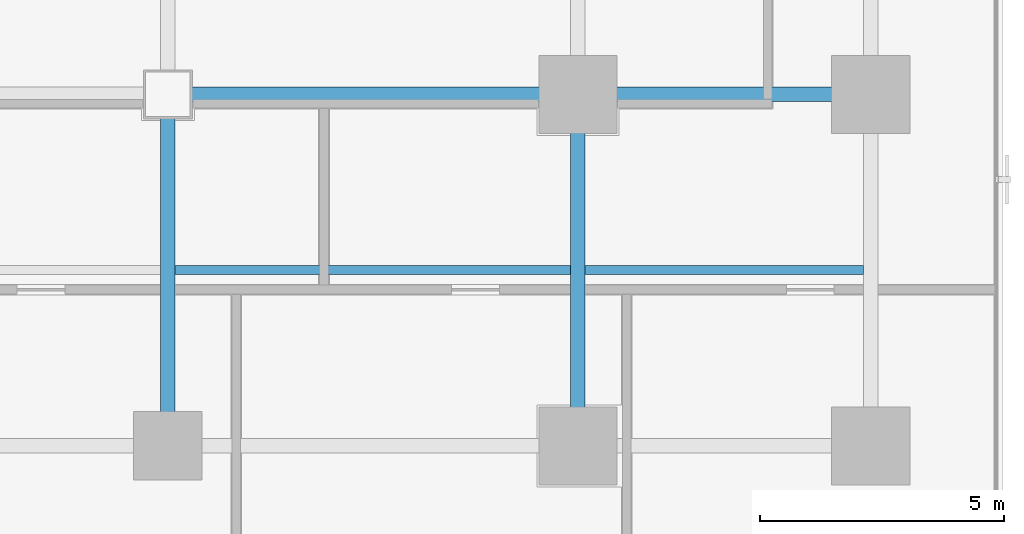
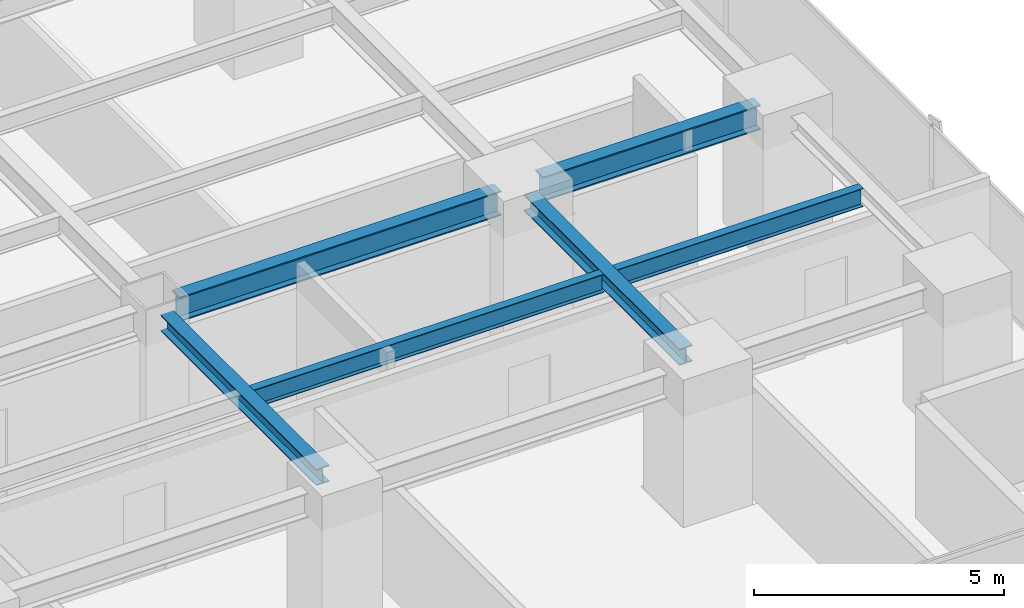
# One storey, part 13 of 36: 6 beams.
"""IFC4 building model written with IfcOpenShell, lengths in metres."""

from ifc_helpers import new_model, si_unit, direction, frame, origin, origin_2d, place, context, subcontext, project, spatial, i_section, extrude, source, transform, mapped, material, material_profile, profile_set, type_object, element, save


model = new_model("IFC4")

# Units and contexts
model_context = context("Model", 3, precision=1e-05, world=origin(), true_north=direction((0.0, 1.0)))
body_context = subcontext(model_context, "Body", "Model", "MODEL_VIEW")
ifc_project = project(units=[si_unit("LENGTHUNIT", "METRE"), si_unit("AREAUNIT", "SQUARE_METRE"), si_unit("VOLUMEUNIT", "CUBIC_METRE"), si_unit("PLANEANGLEUNIT", "RADIAN"), si_unit("MASSUNIT", "GRAM", prefix="KILO")], contexts=[model_context])

# Site, building, storey
site_placement = place(None, origin())
site = spatial("IfcSite", under=ifc_project, at=site_placement, CompositionType="ELEMENT")
building_placement = place(site_placement, origin())
building = spatial("IfcBuilding", under=site, at=building_placement, Name="Sumidabori Civic Tower", CompositionType="ELEMENT")
storey_placement = place(building_placement, frame((0.0, 0.0, 113.60009765625)))
storey = spatial("IfcBuildingStorey", under=building, at=storey_placement, Name="L29", CompositionType="ELEMENT", Elevation=113.60009765625)

# Beams
ifc_material = material(Name="Steel SN490", Category="steel")
ifc_material_profile_1 = material_profile(ifc_material, i_section(OverallWidth=0.300048828125, OverallDepth=0.60009765625, WebThickness=0.015380859375, FlangeThickness=0.030029296875, at=origin_2d()), Name="HE 600 B")
ifc_profile_set_1 = profile_set([ifc_material_profile_1], Name="Steel SN490")
beam_type_1 = type_object("IfcBeamType", Name="BM-GIRD-600", PredefinedType="BEAM", material=ifc_profile_set_1)
shared_shape_1 = source(origin(), body_context, "Body", "SweptSolid", [
    extrude(i_section(OverallWidth=0.300048828125, OverallDepth=0.60009765625, WebThickness=0.015380859375, FlangeThickness=0.030029296875, at=origin_2d()), origin(), (0.0, 0.0, 1.0), 5.0400390625),
])
beam_1_placement = place(storey_placement, frame((17.280029296875, -10.800048828125, 3.059814453125), z_axis=(1.0, 0.0, 0.0), x_axis=(0.0, 1.0, 0.0)))
element("IfcBeam", 1, at=beam_1_placement, inside=storey, type_object=beam_type_1, Name="Primary Girder L29 GX-12", PredefinedType="BEAM", context=body_context, shape_type="MappedRepresentation", body=[
    mapped(shared_shape_1, transform((0.0, 0.0, 0.0), x_axis=(1.0, 0.0, 0.0), y_axis=(0.0, 1.0, 0.0), z_axis=(0.0, 0.0, 1.0), scale=1.0)),
])
shared_shape_2 = source(origin(), body_context, "Body", "SweptSolid", [
    extrude(i_section(OverallWidth=0.300048828125, OverallDepth=0.60009765625, WebThickness=0.015380859375, FlangeThickness=0.030029296875, at=origin_2d()), origin(), (0.0, 0.0, 1.0), 7.440185546875),
])
beam_2_placement = place(storey_placement, frame((8.8798828125, -10.800048828125, 3.059814453125), z_axis=(1.0, 0.0, 0.0), x_axis=(0.0, 1.0, 0.0)))
element("IfcBeam", 2, at=beam_2_placement, inside=storey, type_object=beam_type_1, Name="Primary Girder L29 GX-11", PredefinedType="BEAM", context=body_context, shape_type="MappedRepresentation", body=[
    mapped(shared_shape_2, transform((0.0, 0.0, 0.0), x_axis=(1.0, 0.0, 0.0), y_axis=(0.0, 1.0, 0.0), z_axis=(0.0, 0.0, 1.0), scale=1.0)),
])
ifc_material_profile_2 = material_profile(ifc_material, i_section(OverallWidth=0.300048828125, OverallDepth=0.39990234375, WebThickness=0.013427734375, FlangeThickness=0.02392578125, at=origin_2d()), Name="HE 400 B")
ifc_profile_set_2 = profile_set([ifc_material_profile_2], Name="Steel SN490")
beam_type_2 = type_object("IfcBeamType", Name="BM-GIRD-400", PredefinedType="BEAM", material=ifc_profile_set_2)
shared_shape_3 = source(origin(), body_context, "Body", "SweptSolid", [
    extrude(i_section(OverallWidth=0.300048828125, OverallDepth=0.39990234375, WebThickness=0.013427734375, FlangeThickness=0.02392578125, at=origin_2d()), origin(), (0.0, 0.0, 1.0), 6.239990234375),
])
for number, where, z_axis, x_axis, name in (
    (3, (8.39990234375, -17.52001953125, 3.159912109375), (0.0, 1.0, 0.0), (-1.0, 0.0, 0.0), "Primary Girder L29 GY-33"),
    (4, (16.800048828125, -17.52001953125, 3.159912109375), (0.0, 1.0, 0.0), (-1.0, 0.0, 0.0), "Primary Girder L29 GY-35"),
):
    element("IfcBeam", number, at=place(storey_placement, frame(where, z_axis=z_axis, x_axis=x_axis)), inside=storey, type_object=beam_type_2, Name=name, PredefinedType="BEAM", context=body_context, shape_type="MappedRepresentation", body=[
        mapped(shared_shape_3, transform((0.0, 0.0, 0.0), x_axis=(1.0, 0.0, 0.0), y_axis=(0.0, 1.0, 0.0), z_axis=(0.0, 0.0, 1.0), scale=1.0)),
    ])
ifc_material_profile_3 = material_profile(ifc_material, i_section(OverallWidth=0.18994140625, OverallDepth=0.449951171875, WebThickness=0.009521484375, FlangeThickness=0.0146484375, at=origin_2d()), Name="IPE 450")
ifc_profile_set_3 = profile_set([ifc_material_profile_3], Name="Steel SN490")
beam_type_3 = type_object("IfcBeamType", Name="BM-JST-450", PredefinedType="JOIST", material=ifc_profile_set_3)
shared_shape_4 = source(origin(), body_context, "Body", "SweptSolid", [
    extrude(i_section(OverallWidth=0.18994140625, OverallDepth=0.449951171875, WebThickness=0.009521484375, FlangeThickness=0.0146484375, at=origin_2d()), origin(), (0.0, 0.0, 1.0), 5.699951171875),
])
beam_3_placement = place(storey_placement, frame((16.949951171875, -14.39990234375, 3.135009765625), z_axis=(1.0, 0.0, 0.0), x_axis=(0.0, 1.0, 0.0)))
element("IfcBeam", 5, at=beam_3_placement, inside=storey, type_object=beam_type_3, Name="Outer Bay Floor Joist L29 JSTO-52", PredefinedType="JOIST", context=body_context, shape_type="MappedRepresentation", body=[
    mapped(shared_shape_4, transform((0.0, 0.0, 0.0), x_axis=(1.0, 0.0, 0.0), y_axis=(0.0, 1.0, 0.0), z_axis=(0.0, 0.0, 1.0), scale=1.0)),
])
shared_shape_5 = source(origin(), body_context, "Body", "SweptSolid", [
    extrude(i_section(OverallWidth=0.18994140625, OverallDepth=0.449951171875, WebThickness=0.009521484375, FlangeThickness=0.0146484375, at=origin_2d()), origin(), (0.0, 0.0, 1.0), 8.099853515625),
])
beam_4_placement = place(storey_placement, frame((8.550048828125, -14.39990234375, 3.135009765625), z_axis=(1.0, 0.0, 0.0), x_axis=(0.0, 1.0, 0.0)))
element("IfcBeam", 6, at=beam_4_placement, inside=storey, type_object=beam_type_3, Name="South Bay Floor Joist L29 JSTS-58", PredefinedType="JOIST", context=body_context, shape_type="MappedRepresentation", body=[
    mapped(shared_shape_5, transform((0.0, 0.0, 0.0), x_axis=(1.0, 0.0, 0.0), y_axis=(0.0, 1.0, 0.0), z_axis=(0.0, 0.0, 1.0), scale=1.0)),
])

save(model, "model.ifc")
